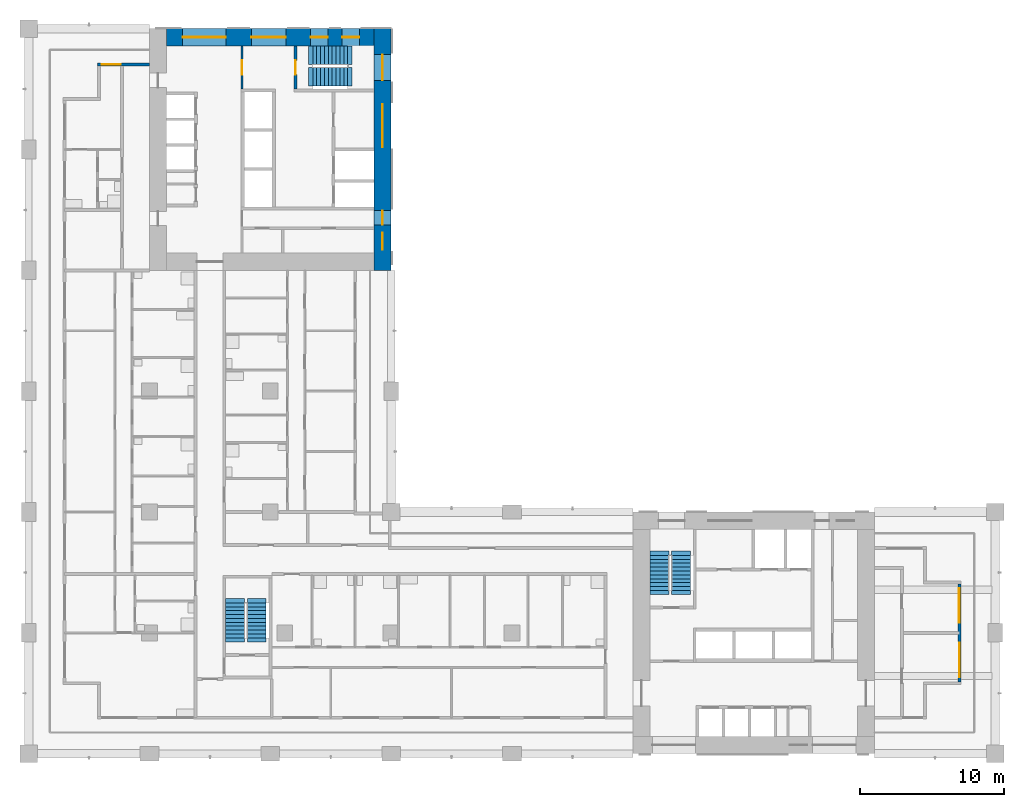
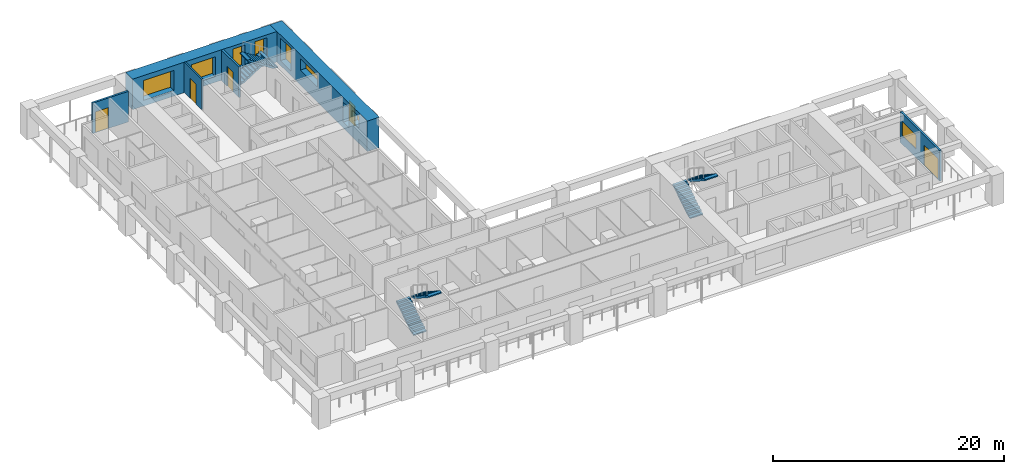
# One storey, part 8 of 16: 9 windows, 6 stair flights, 6 walls, 4 doors, 13 openings, 3 elements without a shape of their own.
"""IFC4 building model written with IfcOpenShell, lengths in metres."""

from ifc_helpers import new_model, si_unit, direction, frame, frame_2d, origin, place, context, subcontext, project, spatial, polyline, rectangle, outline, extrude, material, layer, layer_set, type_object, element, fill, aggregate, save


model = new_model("IFC4")

# Units and contexts
model_context = context("Model", 3, precision=1e-05, world=origin(), true_north=direction((0.0, 1.0)))
body_context = subcontext(model_context, "Body", "Model", "MODEL_VIEW")
ifc_project = project(units=[si_unit("LENGTHUNIT", "METRE"), si_unit("AREAUNIT", "SQUARE_METRE"), si_unit("VOLUMEUNIT", "CUBIC_METRE"), si_unit("PLANEANGLEUNIT", "RADIAN"), si_unit("MASSUNIT", "GRAM", prefix="KILO")], contexts=[model_context])

# Site, building, storey
site_placement = place(None, origin())
site = spatial("IfcSite", under=ifc_project, at=site_placement, CompositionType="ELEMENT")
building_placement = place(site_placement, origin())
building = spatial("IfcBuilding", under=site, at=building_placement, Name="Vermilion Gate Residences", CompositionType="ELEMENT")
storey_placement = place(building_placement, frame((0.0, 0.0, 126.699951171875)))
storey = spatial("IfcBuildingStorey", under=building, at=storey_placement, Name="L32", CompositionType="ELEMENT", Elevation=126.699951171875)

# Wall, opening, door
ifc_material_1 = material(Name="Masonry blockwork", Category="masonry")
ifc_layer_1 = layer(ifc_material_1, 0.14990234375)
ifc_layer_set_1 = layer_set([ifc_layer_1], Name="BLOCKWORK PARTITION 150 EI 120")
wall_type_1 = type_object("IfcWallType", Name="BLOCKWORK PARTITION 150 EI 120", PredefinedType="PARTITIONING", material=ifc_layer_set_1)
wall_1_placement = place(storey_placement, frame((14.824951171875, 57.60009765625, 0.0), z_axis=(0.0, 0.0, 1.0), x_axis=(0.0, -1.0, 0.0)))
wall_1 = element("IfcWall", 1, at=wall_1_placement, inside=storey, type_object=wall_type_1, Name="Core room partition B32-VW-S", PredefinedType="PARTITIONING", context=body_context, shape_type="SweptSolid", body=[
    extrude(rectangle(XDim=3.0, YDim=0.14990234375, at=frame_2d((1.5, 0.0))), origin(), (0.0, 0.0, 1.0), 3.219970703125),
])
opening_1_placement = place(wall_1_placement, frame((1.0, 0.0, 0.0)))
opening_1 = element("IfcOpeningElement", 2, at=opening_1_placement, cuts=wall_1, Name="Opening DK32112", PredefinedType="OPENING", context=body_context, shape_type="SweptSolid", body=[
    extrude(rectangle(XDim=1.0, YDim=2.10009765625, at=frame_2d((0.5, 1.050048828125))), frame((0.0, 0.0849609375, 0.0), z_axis=(0.0, -1.0, 0.0), x_axis=(1.0, 0.0, 0.0)), (0.0, 0.0, 1.0), 0.169921875),
])
ifc_material_2 = material(Name="Steel", Category="steel")
door_type_1 = type_object("IfcDoorType", Name="FIRE DOOR FD60 1000 X 2100", OperationType="SINGLE_SWING_LEFT", PredefinedType="DOOR", material=ifc_material_2)
door_1_placement = place(opening_1_placement, frame((1.0, 0.0, 0.0), z_axis=(0.0, 0.0, 1.0), x_axis=(-1.0, 0.0, 0.0)))
door_1 = element("IfcDoor", 3, at=door_1_placement, inside=storey, type_object=door_type_1, Name="Stair vestibule door B32", OperationType="SINGLE_SWING_RIGHT", OverallHeight=2.10009765625, OverallWidth=1.0, PredefinedType="DOOR", context=body_context, shape_type="SweptSolid", body=[
    extrude(rectangle(XDim=1.0, YDim=2.10009765625, at=frame_2d((0.5, 1.050048828125))), frame((0.0, 0.02490234375, 0.0), z_axis=(0.0, -1.0, 0.0), x_axis=(1.0, 0.0, 0.0)), (0.0, 0.0, 1.0), 0.050048828125),
])
fill(opening_1, door_1)

ifc_material_3 = material(Name="Insulated steel stud wall with terracotta rainscreen", Category="masonry")
ifc_layer_2 = layer(ifc_material_3, 0.199951171875)
ifc_layer_set_2 = layer_set([ifc_layer_2], Name="EXTERNAL WALL 200 TERRACOTTA RAINSCREEN")
wall_type_2 = type_object("IfcWallType", Name="EXTERNAL WALL 200 TERRACOTTA RAINSCREEN", PredefinedType="SOLIDWALL", material=ifc_layer_set_2)
wall_2_placement = place(storey_placement, frame((8.39990234375, 56.300048828125, 0.0), z_axis=(0.0, 0.0, 1.0), x_axis=(-1.0, 0.0, 0.0)))
wall_2 = element("IfcWall", 4, at=wall_2_placement, inside=storey, type_object=wall_type_2, Name="External wall", PredefinedType="SOLIDWALL", context=body_context, shape_type="SweptSolid", body=[
    extrude(rectangle(XDim=3.599853515625, YDim=0.199951171875, at=frame_2d((1.7998046875, 0.0))), origin(), (0.0, 0.0, 1.0), 3.219970703125),
])
opening_2_placement = place(wall_2_placement, frame((2.0, 0.0, 0.0)))
opening_2 = element("IfcOpeningElement", 5, at=opening_2_placement, cuts=wall_2, Name="Opening DE32001", PredefinedType="OPENING", context=body_context, shape_type="SweptSolid", body=[
    extrude(rectangle(XDim=1.300048828125, YDim=2.199951171875, at=frame_2d((0.64990234375, 1.10009765625))), frame((0.0, 0.10986328125, 0.0), z_axis=(0.0, -1.0, 0.0), x_axis=(1.0, 0.0, 0.0)), (0.0, 0.0, 1.0), 0.219970703125),
])
ifc_material_4 = material(Name="Aluminium and clear glass", Category="aluminium")
door_type_2 = type_object("IfcDoorType", Name="SLIDING GLAZED DOOR 1300 X 2200", OperationType="DOUBLE_DOOR_SLIDING", PredefinedType="DOOR", material=ifc_material_4)
door_2_placement = place(opening_2_placement, origin())
door_2 = element("IfcDoor", 6, at=door_2_placement, inside=storey, type_object=door_type_2, Name="Loggia sliding door", OperationType="DOUBLE_DOOR_SLIDING", OverallHeight=2.199951171875, OverallWidth=1.300048828125, PredefinedType="DOOR", context=body_context, shape_type="SweptSolid", body=[
    extrude(rectangle(XDim=1.300048828125, YDim=2.199951171875, at=frame_2d((0.64990234375, 1.10009765625))), frame((0.0, 0.02490234375, 0.0), z_axis=(0.0, -1.0, 0.0), x_axis=(1.0, 0.0, 0.0)), (0.0, 0.0, 1.0), 0.050048828125),
])
fill(opening_2, door_2)

# Wall, openings, door, window
wall_3_placement = place(storey_placement, frame((64.699951171875, 13.39990234375, 0.0), z_axis=(0.0, 0.0, 1.0), x_axis=(0.0, 1.0, 0.0)))
wall_3 = element("IfcWall", 7, at=wall_3_placement, inside=storey, type_object=wall_type_2, Name="External wall", PredefinedType="SOLIDWALL", context=body_context, shape_type="SweptSolid", body=[
    extrude(rectangle(XDim=6.800048828125, YDim=0.199951171875, at=frame_2d((3.39990234375, 0.0))), origin(), (0.0, 0.0, 1.0), 3.219970703125),
])
opening_3_placement = place(wall_3_placement, frame((4.10009765625, 0.0, 0.89990234375)))
opening_3 = element("IfcOpeningElement", 8, at=opening_3_placement, cuts=wall_3, Name="Opening WE32022", PredefinedType="OPENING", context=body_context, shape_type="SweptSolid", body=[
    extrude(rectangle(XDim=2.39990234375, YDim=1.5, at=frame_2d((1.199951171875, 0.75))), frame((0.0, 0.10986328125, 0.0), z_axis=(0.0, -1.0, 0.0), x_axis=(1.0, 0.0, 0.0)), (0.0, 0.0, 1.0), 0.219970703125),
])
opening_4_placement = place(wall_3_placement, frame((0.300048828125, 0.0, 0.0)))
opening_4 = element("IfcOpeningElement", 9, at=opening_4_placement, cuts=wall_3, Name="Opening DE32028", PredefinedType="OPENING", context=body_context, shape_type="SweptSolid", body=[
    extrude(rectangle(XDim=2.39990234375, YDim=2.199951171875, at=frame_2d((1.199951171875, 1.10009765625))), frame((0.0, 0.10986328125, 0.0), z_axis=(0.0, -1.0, 0.0), x_axis=(1.0, 0.0, 0.0)), (0.0, 0.0, 1.0), 0.219970703125),
])
ifc_material_5 = material(Name="Aluminium and clear glass", Category="aluminium")
door_type_3 = type_object("IfcDoorType", Name="SLIDING GLAZED DOOR 2400 X 2200", OperationType="DOUBLE_DOOR_SLIDING", PredefinedType="DOOR", material=ifc_material_5)
door_3_placement = place(opening_4_placement, origin())
door_3 = element("IfcDoor", 10, at=door_3_placement, inside=storey, type_object=door_type_3, Name="Loggia sliding door", OperationType="DOUBLE_DOOR_SLIDING", OverallHeight=2.199951171875, OverallWidth=2.39990234375, PredefinedType="DOOR", context=body_context, shape_type="SweptSolid", body=[
    extrude(rectangle(XDim=2.39990234375, YDim=2.199951171875, at=frame_2d((1.199951171875, 1.10009765625))), frame((0.0, 0.02490234375, 0.0), z_axis=(0.0, -1.0, 0.0), x_axis=(1.0, 0.0, 0.0)), (0.0, 0.0, 1.0), 0.050048828125),
])
fill(opening_4, door_3)
ifc_material_6 = material(Name="Aluminium and clear glass", Category="aluminium")
window_type_1 = type_object("IfcWindowType", Name="WINDOW 2400 X 1500", PartitioningType="SINGLE_PANEL", PredefinedType="WINDOW", material=ifc_material_6)
window_1_placement = place(opening_3_placement, origin())
window_1 = element("IfcWindow", 11, at=window_1_placement, inside=storey, type_object=window_type_1, Name="Window", OverallHeight=1.5, OverallWidth=2.39990234375, PartitioningType="SINGLE_PANEL", PredefinedType="WINDOW", context=body_context, shape_type="SweptSolid", body=[
    extrude(rectangle(XDim=2.39990234375, YDim=1.5, at=frame_2d((1.199951171875, 0.75))), frame((0.0, 0.030029296875, 0.0), z_axis=(0.0, -1.0, 0.0), x_axis=(1.0, 0.0, 0.0)), (0.0, 0.0, 1.0), 0.06005859375),
])
fill(opening_3, window_1)

# Wall, opening, door
ifc_material_7 = material(Name="Concrete C60", Category="concrete")
ifc_layer_3 = layer(ifc_material_7, 0.199951171875)
ifc_layer_set_3 = layer_set([ifc_layer_3], Name="RC CORE INTERNAL WALL 200 C60")
wall_type_3 = type_object("IfcWallType", Name="RC CORE INTERNAL WALL 200 C60", PredefinedType="SHEAR", material=ifc_layer_set_3)
wall_4_placement = place(storey_placement, frame((18.550048828125, 57.60009765625, 0.0), z_axis=(0.0, 0.0, 1.0), x_axis=(0.0, -1.0, 0.0)))
wall_4 = element("IfcWall", 12, at=wall_4_placement, inside=storey, type_object=wall_type_3, Name="Core internal wall B32-STW-S", PredefinedType="SHEAR", context=body_context, shape_type="SweptSolid", body=[
    extrude(rectangle(XDim=3.0, YDim=0.199951171875, at=frame_2d((1.5, 0.0))), origin(), (0.0, 0.0, 1.0), 3.219970703125),
])
opening_5_placement = place(wall_4_placement, frame((1.0, 0.0, 0.0)))
opening_5 = element("IfcOpeningElement", 13, at=opening_5_placement, cuts=wall_4, Name="Opening DK32113", PredefinedType="OPENING", context=body_context, shape_type="SweptSolid", body=[
    extrude(rectangle(XDim=1.0, YDim=2.10009765625, at=frame_2d((0.5, 1.050048828125))), frame((0.0, 0.10986328125, 0.0), z_axis=(0.0, -1.0, 0.0), x_axis=(1.0, 0.0, 0.0)), (0.0, 0.0, 1.0), 0.219970703125),
])
door_4_placement = place(opening_5_placement, origin())
door_4 = element("IfcDoor", 14, at=door_4_placement, inside=storey, type_object=door_type_1, Name="Stair door B32", OperationType="SINGLE_SWING_LEFT", OverallHeight=2.10009765625, OverallWidth=1.0, PredefinedType="DOOR", context=body_context, shape_type="SweptSolid", body=[
    extrude(rectangle(XDim=1.0, YDim=2.10009765625, at=frame_2d((0.5, 1.050048828125))), frame((0.0, 0.02490234375, 0.0), z_axis=(0.0, -1.0, 0.0), x_axis=(1.0, 0.0, 0.0)), (0.0, 0.0, 1.0), 0.050048828125),
])
fill(opening_5, door_4)

# Wall, openings, windows
ifc_material_8 = material(Name="Concrete C70 red-oxide pigmented", Category="concrete")
ifc_layer_4 = layer(ifc_material_8, 1.199951171875)
ifc_layer_set_4 = layer_set([ifc_layer_4], Name="RC CORE WALL 1200 C70 RED OXIDE")
wall_type_4 = type_object("IfcWallType", Name="RC CORE WALL 1200 C70 RED OXIDE", PredefinedType="SHEAR", material=ifc_layer_set_4)
wall_5_placement = place(storey_placement, frame((24.60009765625, 58.800048828125, 0.0), z_axis=(0.0, 0.0, 1.0), x_axis=(0.0, -1.0, 0.0)))
wall_5 = element("IfcWall", 15, at=wall_5_placement, inside=storey, type_object=wall_type_4, Name="Core wall B32-OUT-B1", PredefinedType="SHEAR", context=body_context, shape_type="SweptSolid", body=[
    extrude(rectangle(XDim=16.800048828125, YDim=1.199951171875, at=frame_2d((8.39990234375, 0.0))), origin(), (0.0, 0.0, 1.0), 3.219970703125),
])
opening_6_placement = place(wall_5_placement, frame((1.800048828125, 0.0, 0.5)))
opening_6 = element("IfcOpeningElement", 16, at=opening_6_placement, cuts=wall_5, Name="Opening WKB3201", PredefinedType="OPENING", context=body_context, shape_type="SweptSolid", body=[
    extrude(rectangle(XDim=1.800048828125, YDim=2.39990234375, at=frame_2d((0.89990234375, 1.199951171875))), frame((0.0, 0.60986328125, 0.0), z_axis=(0.0, -1.0, 0.0), x_axis=(1.0, 0.0, 0.0)), (0.0, 0.0, 1.0), 1.219970703125),
])
opening_7_placement = place(wall_5_placement, frame((5.25, 0.0, 1.60009765625)))
opening_7 = element("IfcOpeningElement", 17, at=opening_7_placement, cuts=wall_5, Name="Opening WKB3202", PredefinedType="OPENING", context=body_context, shape_type="SweptSolid", body=[
    extrude(rectangle(XDim=3.0, YDim=1.199951171875, at=frame_2d((1.5, 0.60009765625))), frame((0.0, 0.60986328125, 0.0), z_axis=(0.0, -1.0, 0.0), x_axis=(1.0, 0.0, 0.0)), (0.0, 0.0, 1.0), 1.219970703125),
])
opening_8_placement = place(wall_5_placement, frame((12.64990234375, 0.0, 0.60009765625)))
opening_8 = element("IfcOpeningElement", 18, at=opening_8_placement, cuts=wall_5, Name="Opening WKB3203", PredefinedType="OPENING", context=body_context, shape_type="SweptSolid", body=[
    extrude(rectangle(XDim=1.0, YDim=2.10009765625, at=frame_2d((0.5, 1.050048828125))), frame((0.0, 0.60986328125, 0.0), z_axis=(0.0, -1.0, 0.0), x_axis=(1.0, 0.0, 0.0)), (0.0, 0.0, 1.0), 1.219970703125),
])
opening_9_placement = place(wall_5_placement, frame((14.175048828125, 0.0, 1.60009765625)))
opening_9 = element("IfcOpeningElement", 19, at=opening_9_placement, cuts=wall_5, Name="Opening WKB3204", PredefinedType="OPENING", context=body_context, shape_type="SweptSolid", body=[
    extrude(rectangle(XDim=1.199951171875, YDim=1.199951171875, at=frame_2d((0.60009765625, 0.60009765625))), frame((0.0, 0.60986328125, 0.0), z_axis=(0.0, -1.0, 0.0), x_axis=(1.0, 0.0, 0.0)), (0.0, 0.0, 1.0), 1.219970703125),
])
ifc_material_9 = material(Name="Aluminium and clear glass", Category="aluminium")
window_type_2 = type_object("IfcWindowType", Name="CORE CORRIDOR WINDOW 1000 X 2100", PartitioningType="SINGLE_PANEL", PredefinedType="WINDOW", material=ifc_material_9)
window_2_placement = place(opening_8_placement, origin())
window_2 = element("IfcWindow", 20, at=window_2_placement, inside=storey, type_object=window_type_2, Name="Core corridor window", OverallHeight=2.10009765625, OverallWidth=1.0, PartitioningType="SINGLE_PANEL", PredefinedType="WINDOW", context=body_context, shape_type="SweptSolid", body=[
    extrude(rectangle(XDim=1.0, YDim=2.10009765625, at=frame_2d((0.5, 1.050048828125))), frame((0.0, 0.030029296875, 0.0), z_axis=(0.0, -1.0, 0.0), x_axis=(1.0, 0.0, 0.0)), (0.0, 0.0, 1.0), 0.06005859375),
])
fill(opening_8, window_2)
ifc_material_10 = material(Name="Aluminium frame with louvre blades", Category="aluminium")
window_type_3 = type_object("IfcWindowType", Name="CORE LOUVRE 1200 X 1200", PartitioningType="SINGLE_PANEL", PredefinedType="WINDOW", material=ifc_material_10)
window_3_placement = place(opening_9_placement, origin())
window_3 = element("IfcWindow", 21, at=window_3_placement, inside=storey, type_object=window_type_3, Name="Core louvre", OverallHeight=1.199951171875, OverallWidth=1.199951171875, PartitioningType="SINGLE_PANEL", PredefinedType="WINDOW", context=body_context, shape_type="SweptSolid", body=[
    extrude(rectangle(XDim=1.199951171875, YDim=1.199951171875, at=frame_2d((0.60009765625, 0.60009765625))), frame((0.0, 0.030029296875, 0.0), z_axis=(0.0, -1.0, 0.0), x_axis=(1.0, 0.0, 0.0)), (0.0, 0.0, 1.0), 0.06005859375),
])
fill(opening_9, window_3)
ifc_material_11 = material(Name="Aluminium frame with louvre blades", Category="aluminium")
window_type_4 = type_object("IfcWindowType", Name="CORE LOUVRE 3000 X 1200", PartitioningType="SINGLE_PANEL", PredefinedType="WINDOW", material=ifc_material_11)
window_4_placement = place(opening_7_placement, origin())
window_4 = element("IfcWindow", 22, at=window_4_placement, inside=storey, type_object=window_type_4, Name="Core louvre", OverallHeight=1.199951171875, OverallWidth=3.0, PartitioningType="SINGLE_PANEL", PredefinedType="WINDOW", context=body_context, shape_type="SweptSolid", body=[
    extrude(rectangle(XDim=3.0, YDim=1.199951171875, at=frame_2d((1.5, 0.60009765625))), frame((0.0, 0.030029296875, 0.0), z_axis=(0.0, -1.0, 0.0), x_axis=(1.0, 0.0, 0.0)), (0.0, 0.0, 1.0), 0.06005859375),
])
fill(opening_7, window_4)
ifc_material_12 = material(Name="Aluminium and clear glass", Category="aluminium")
window_type_5 = type_object("IfcWindowType", Name="CORE STAIR WINDOW 1800 X 2400", PartitioningType="SINGLE_PANEL", PredefinedType="WINDOW", material=ifc_material_12)
window_5_placement = place(opening_6_placement, origin())
window_5 = element("IfcWindow", 23, at=window_5_placement, inside=storey, type_object=window_type_5, Name="Core stair window", OverallHeight=2.39990234375, OverallWidth=1.800048828125, PartitioningType="SINGLE_PANEL", PredefinedType="WINDOW", context=body_context, shape_type="SweptSolid", body=[
    extrude(rectangle(XDim=1.800048828125, YDim=2.39990234375, at=frame_2d((0.89990234375, 1.199951171875))), frame((0.0, 0.030029296875, 0.0), z_axis=(0.0, -1.0, 0.0), x_axis=(1.0, 0.0, 0.0)), (0.0, 0.0, 1.0), 0.06005859375),
])
fill(opening_6, window_5)

wall_6_placement = place(storey_placement, frame((9.60009765625, 58.199951171875, 0.0), z_axis=(0.0, 0.0, 1.0), x_axis=(1.0, 0.0, 0.0)))
wall_6 = element("IfcWall", 24, at=wall_6_placement, inside=storey, type_object=wall_type_4, Name="Core wall B32-OUT-FR", PredefinedType="SHEAR", context=body_context, shape_type="SweptSolid", body=[
    extrude(rectangle(XDim=14.39990234375, YDim=1.199951171875, at=frame_2d((7.199951171875, 0.0))), origin(), (0.0, 0.0, 1.0), 3.219970703125),
])
opening_10_placement = place(wall_6_placement, frame((1.10498046875, 0.0, 0.60009765625)))
opening_10 = element("IfcOpeningElement", 25, at=opening_10_placement, cuts=wall_6, Name="Opening WKB3205", PredefinedType="OPENING", context=body_context, shape_type="SweptSolid", body=[
    extrude(rectangle(XDim=3.0, YDim=2.10009765625, at=frame_2d((1.5, 1.050048828125))), frame((0.0, 0.60986328125, 0.0), z_axis=(0.0, -1.0, 0.0), x_axis=(1.0, 0.0, 0.0)), (0.0, 0.0, 1.0), 1.219970703125),
])
opening_11_placement = place(wall_6_placement, frame((5.875, 0.0, 0.60009765625)))
opening_11 = element("IfcOpeningElement", 26, at=opening_11_placement, cuts=wall_6, Name="Opening WKB3206", PredefinedType="OPENING", context=body_context, shape_type="SweptSolid", body=[
    extrude(rectangle(XDim=2.39990234375, YDim=2.10009765625, at=frame_2d((1.199951171875, 1.050048828125))), frame((0.0, 0.60986328125, 0.0), z_axis=(0.0, -1.0, 0.0), x_axis=(1.0, 0.0, 0.0)), (0.0, 0.0, 1.0), 1.219970703125),
])
opening_12_placement = place(wall_6_placement, frame((9.993408203125, 0.0, 0.5)))
opening_12 = element("IfcOpeningElement", 27, at=opening_12_placement, cuts=wall_6, Name="Opening WKB3207", PredefinedType="OPENING", context=body_context, shape_type="SweptSolid", body=[
    extrude(rectangle(XDim=1.199951171875, YDim=2.39990234375, at=frame_2d((0.60009765625, 1.199951171875))), frame((0.0, 0.60986328125, 0.0), z_axis=(0.0, -1.0, 0.0), x_axis=(1.0, 0.0, 0.0)), (0.0, 0.0, 1.0), 1.219970703125),
])
opening_13_placement = place(wall_6_placement, frame((12.19677734375, 0.0, 0.5)))
opening_13 = element("IfcOpeningElement", 28, at=opening_13_placement, cuts=wall_6, Name="Opening WKB3208", PredefinedType="OPENING", context=body_context, shape_type="SweptSolid", body=[
    extrude(rectangle(XDim=1.199951171875, YDim=2.39990234375, at=frame_2d((0.60009765625, 1.199951171875))), frame((0.0, 0.60986328125, 0.0), z_axis=(0.0, -1.0, 0.0), x_axis=(1.0, 0.0, 0.0)), (0.0, 0.0, 1.0), 1.219970703125),
])
ifc_material_13 = material(Name="Aluminium and clear glass", Category="aluminium")
window_type_6 = type_object("IfcWindowType", Name="CORE LOBBY WINDOW 2400 X 2100", PartitioningType="SINGLE_PANEL", PredefinedType="WINDOW", material=ifc_material_13)
window_6_placement = place(opening_11_placement, origin())
window_6 = element("IfcWindow", 29, at=window_6_placement, inside=storey, type_object=window_type_6, Name="Core lobby window", OverallHeight=2.10009765625, OverallWidth=2.39990234375, PartitioningType="SINGLE_PANEL", PredefinedType="WINDOW", context=body_context, shape_type="SweptSolid", body=[
    extrude(rectangle(XDim=2.39990234375, YDim=2.10009765625, at=frame_2d((1.199951171875, 1.050048828125))), frame((0.0, 0.030029296875, 0.0), z_axis=(0.0, -1.0, 0.0), x_axis=(1.0, 0.0, 0.0)), (0.0, 0.0, 1.0), 0.06005859375),
])
fill(opening_11, window_6)
ifc_material_14 = material(Name="Aluminium and clear glass", Category="aluminium")
window_type_7 = type_object("IfcWindowType", Name="CORE LOBBY WINDOW 3000 X 2100", PartitioningType="SINGLE_PANEL", PredefinedType="WINDOW", material=ifc_material_14)
window_7_placement = place(opening_10_placement, origin())
window_7 = element("IfcWindow", 30, at=window_7_placement, inside=storey, type_object=window_type_7, Name="Core lobby window", OverallHeight=2.10009765625, OverallWidth=3.0, PartitioningType="SINGLE_PANEL", PredefinedType="WINDOW", context=body_context, shape_type="SweptSolid", body=[
    extrude(rectangle(XDim=3.0, YDim=2.10009765625, at=frame_2d((1.5, 1.050048828125))), frame((0.0, 0.030029296875, 0.0), z_axis=(0.0, -1.0, 0.0), x_axis=(1.0, 0.0, 0.0)), (0.0, 0.0, 1.0), 0.06005859375),
])
fill(opening_10, window_7)
ifc_material_15 = material(Name="Aluminium and clear glass", Category="aluminium")
window_type_8 = type_object("IfcWindowType", Name="CORE STAIR WINDOW 1200 X 2400", PartitioningType="SINGLE_PANEL", PredefinedType="WINDOW", material=ifc_material_15)
window_8_placement = place(opening_12_placement, origin())
window_8 = element("IfcWindow", 31, at=window_8_placement, inside=storey, type_object=window_type_8, Name="Core stair window", OverallHeight=2.39990234375, OverallWidth=1.199951171875, PartitioningType="SINGLE_PANEL", PredefinedType="WINDOW", context=body_context, shape_type="SweptSolid", body=[
    extrude(rectangle(XDim=1.199951171875, YDim=2.39990234375, at=frame_2d((0.60009765625, 1.199951171875))), frame((0.0, 0.030029296875, 0.0), z_axis=(0.0, -1.0, 0.0), x_axis=(1.0, 0.0, 0.0)), (0.0, 0.0, 1.0), 0.06005859375),
])
fill(opening_12, window_8)
window_9_placement = place(opening_13_placement, origin())
window_9 = element("IfcWindow", 32, at=window_9_placement, inside=storey, type_object=window_type_8, Name="Core stair window", OverallHeight=2.39990234375, OverallWidth=1.199951171875, PartitioningType="SINGLE_PANEL", PredefinedType="WINDOW", context=body_context, shape_type="SweptSolid", body=[
    extrude(rectangle(XDim=1.199951171875, YDim=2.39990234375, at=frame_2d((0.60009765625, 1.199951171875))), frame((0.0, 0.030029296875, 0.0), z_axis=(0.0, -1.0, 0.0), x_axis=(1.0, 0.0, 0.0)), (0.0, 0.0, 1.0), 0.06005859375),
])
fill(opening_13, window_9)

# Stair, stair flights
ifc_material_16 = material(Name="Concrete C50", Category="concrete")
stair_type = type_object("IfcStairType", Name="SPECIAL ESCAPE STAIR 1300", PredefinedType="HALF_TURN_STAIR", material=ifc_material_16)
stair_1_placement = place(storey_placement, origin())
stair_1 = element("IfcStair", 33, at=stair_1_placement, inside=storey, type_object=stair_type, Name="Special escape stair STA1-32", PredefinedType="HALF_TURN_STAIR")
ifc_material_17 = material(Name="Concrete C50", Category="concrete")
stair_flight_type = type_object("IfcStairFlightType", Name="STAIR FLIGHT 1300 RC C50", PredefinedType="STRAIGHT", material=ifc_material_17)
stair_flight_1_placement = place(storey_placement, frame((43.85009765625, 19.75, 0.0), z_axis=(0.0, 0.0, 1.0), x_axis=(0.0, 1.0, 0.0)))
stair_flight_1 = element("IfcStairFlight", 34, at=stair_flight_1_placement, type_object=stair_flight_type, Name="STA1-32 flight 1", NumberOfRisers=10, NumberOfTreads=9, PredefinedType="STRAIGHT", RiserHeight=0.175, TreadLength=0.27, context=body_context, shape_type="SweptSolid", body=[
    extrude(outline(polyline([(-0.300048828125, -0.14990234375), (-0.300048828125, -0.030029296875), (0.0, 0.0), (0.0, 0.175048828125), (0.27001953125, 0.175048828125), (0.27001953125, 0.35009765625), (0.5400390625, 0.35009765625), (0.5400390625, 0.52490234375), (0.81005859375, 0.52490234375), (0.81005859375, 0.699951171875), (1.080078125, 0.699951171875), (1.080078125, 0.875), (1.35009765625, 0.875), (1.35009765625, 1.050048828125), (1.6201171875, 1.050048828125), (1.6201171875, 1.22509765625), (1.889892578125, 1.22509765625), (1.889892578125, 1.39990234375), (2.159912109375, 1.39990234375), (2.159912109375, 1.574951171875), (2.429931640625, 1.574951171875), (2.429931640625, 1.75), (2.72998046875, 1.719970703125), (2.72998046875, 1.60009765625), (2.429931640625, 1.396484375), (0.275634765625, 0.0), (-0.300048828125, -0.14990234375)])), frame((0.0, 0.64990234375, 0.0), z_axis=(0.0, -1.0, 0.0), x_axis=(1.0, 0.0, 0.0)), (0.0, 0.0, 1.0), 1.300048828125),
])
stair_flight_2_placement = place(storey_placement, frame((45.35009765625, 22.179931640625, 1.75), z_axis=(0.0, 0.0, 1.0), x_axis=(0.0, -1.0, 0.0)))
stair_flight_2 = element("IfcStairFlight", 35, at=stair_flight_2_placement, type_object=stair_flight_type, Name="STA1-32 flight 2", NumberOfRisers=10, NumberOfTreads=9, PredefinedType="STRAIGHT", RiserHeight=0.175, TreadLength=0.27, context=body_context, shape_type="SweptSolid", body=[
    extrude(outline(polyline([(-0.300048828125, -0.14990234375), (-0.300048828125, -0.030029296875), (0.0, 0.0), (0.0, 0.175048828125), (0.27001953125, 0.175048828125), (0.27001953125, 0.35009765625), (0.5400390625, 0.35009765625), (0.5400390625, 0.52490234375), (0.81005859375, 0.52490234375), (0.81005859375, 0.699951171875), (1.080078125, 0.699951171875), (1.080078125, 0.875), (1.35009765625, 0.875), (1.35009765625, 1.050048828125), (1.6201171875, 1.050048828125), (1.6201171875, 1.22509765625), (1.889892578125, 1.22509765625), (1.889892578125, 1.39990234375), (2.159912109375, 1.39990234375), (2.159912109375, 1.574951171875), (2.429931640625, 1.574951171875), (2.429931640625, 1.75), (2.72998046875, 1.719970703125), (2.72998046875, 1.60009765625), (2.429931640625, 1.396484375), (0.275634765625, 0.0), (-0.300048828125, -0.14990234375)])), frame((0.0, 0.64990234375, 0.0), z_axis=(0.0, -1.0, 0.0), x_axis=(1.0, 0.0, 0.0)), (0.0, 0.0, 1.0), 1.300048828125),
])
aggregate(stair_1, [stair_flight_1, stair_flight_2])

stair_2_placement = place(storey_placement, origin())
stair_2 = element("IfcStair", 36, at=stair_2_placement, inside=storey, type_object=stair_type, Name="Special escape stair STB1-32", PredefinedType="HALF_TURN_STAIR")
stair_flight_3_placement = place(storey_placement, frame((19.75, 56.949951171875, 0.0), z_axis=(0.0, 0.0, 1.0), x_axis=(1.0, 0.0, 0.0)))
stair_flight_3 = element("IfcStairFlight", 37, at=stair_flight_3_placement, type_object=stair_flight_type, Name="STB1-32 flight 1", NumberOfRisers=10, NumberOfTreads=9, PredefinedType="STRAIGHT", RiserHeight=0.175, TreadLength=0.27, context=body_context, shape_type="SweptSolid", body=[
    extrude(outline(polyline([(-0.300048828125, -0.14990234375), (-0.300048828125, -0.030029296875), (0.0, 0.0), (0.0, 0.175048828125), (0.27001953125, 0.175048828125), (0.27001953125, 0.35009765625), (0.5400390625, 0.35009765625), (0.5400390625, 0.52490234375), (0.81005859375, 0.52490234375), (0.81005859375, 0.699951171875), (1.080078125, 0.699951171875), (1.080078125, 0.875), (1.35009765625, 0.875), (1.35009765625, 1.050048828125), (1.6201171875, 1.050048828125), (1.6201171875, 1.22509765625), (1.889892578125, 1.22509765625), (1.889892578125, 1.39990234375), (2.159912109375, 1.39990234375), (2.159912109375, 1.574951171875), (2.429931640625, 1.574951171875), (2.429931640625, 1.75), (2.72998046875, 1.719970703125), (2.72998046875, 1.60009765625), (2.429931640625, 1.396484375), (0.275634765625, 0.0), (-0.300048828125, -0.14990234375)])), frame((0.0, 0.64990234375, 0.0), z_axis=(0.0, -1.0, 0.0), x_axis=(1.0, 0.0, 0.0)), (0.0, 0.0, 1.0), 1.300048828125),
])
stair_flight_4_placement = place(storey_placement, frame((22.179931640625, 55.449951171875, 1.75), z_axis=(0.0, 0.0, 1.0), x_axis=(-1.0, 0.0, 0.0)))
stair_flight_4 = element("IfcStairFlight", 38, at=stair_flight_4_placement, type_object=stair_flight_type, Name="STB1-32 flight 2", NumberOfRisers=10, NumberOfTreads=9, PredefinedType="STRAIGHT", RiserHeight=0.175, TreadLength=0.27, context=body_context, shape_type="SweptSolid", body=[
    extrude(outline(polyline([(-0.300048828125, -0.14990234375), (-0.300048828125, -0.030029296875), (0.0, 0.0), (0.0, 0.175048828125), (0.27001953125, 0.175048828125), (0.27001953125, 0.35009765625), (0.5400390625, 0.35009765625), (0.5400390625, 0.52490234375), (0.81005859375, 0.52490234375), (0.81005859375, 0.699951171875), (1.080078125, 0.699951171875), (1.080078125, 0.875), (1.35009765625, 0.875), (1.35009765625, 1.050048828125), (1.6201171875, 1.050048828125), (1.6201171875, 1.22509765625), (1.889892578125, 1.22509765625), (1.889892578125, 1.39990234375), (2.159912109375, 1.39990234375), (2.159912109375, 1.574951171875), (2.429931640625, 1.574951171875), (2.429931640625, 1.75), (2.72998046875, 1.719970703125), (2.72998046875, 1.60009765625), (2.429931640625, 1.396484375), (0.275634765625, 0.0), (-0.300048828125, -0.14990234375)])), frame((0.0, 0.64990234375, 0.0), z_axis=(0.0, -1.0, 0.0), x_axis=(1.0, 0.0, 0.0)), (0.0, 0.0, 1.0), 1.300048828125),
])
aggregate(stair_2, [stair_flight_3, stair_flight_4])

stair_3_placement = place(storey_placement, origin())
stair_3 = element("IfcStair", 39, at=stair_3_placement, inside=storey, type_object=stair_type, Name="Special escape stair STC1-32", PredefinedType="HALF_TURN_STAIR")
stair_flight_5_placement = place(storey_placement, frame((14.35009765625, 16.449951171875, 0.0), z_axis=(0.0, 0.0, 1.0), x_axis=(0.0, 1.0, 0.0)))
stair_flight_5 = element("IfcStairFlight", 40, at=stair_flight_5_placement, type_object=stair_flight_type, Name="STC1-32 flight 1", NumberOfRisers=10, NumberOfTreads=9, PredefinedType="STRAIGHT", RiserHeight=0.175, TreadLength=0.27, context=body_context, shape_type="SweptSolid", body=[
    extrude(outline(polyline([(-0.300048828125, -0.14990234375), (-0.300048828125, -0.030029296875), (0.0, 0.0), (0.0, 0.175048828125), (0.27001953125, 0.175048828125), (0.27001953125, 0.35009765625), (0.5400390625, 0.35009765625), (0.5400390625, 0.52490234375), (0.81005859375, 0.52490234375), (0.81005859375, 0.699951171875), (1.080078125, 0.699951171875), (1.080078125, 0.875), (1.35009765625, 0.875), (1.35009765625, 1.050048828125), (1.6201171875, 1.050048828125), (1.6201171875, 1.22509765625), (1.889892578125, 1.22509765625), (1.889892578125, 1.39990234375), (2.159912109375, 1.39990234375), (2.159912109375, 1.574951171875), (2.429931640625, 1.574951171875), (2.429931640625, 1.75), (2.72998046875, 1.719970703125), (2.72998046875, 1.60009765625), (2.429931640625, 1.396484375), (0.275634765625, 0.0), (-0.300048828125, -0.14990234375)])), frame((0.0, 0.64990234375, 0.0), z_axis=(0.0, -1.0, 0.0), x_axis=(1.0, 0.0, 0.0)), (0.0, 0.0, 1.0), 1.300048828125),
])
stair_flight_6_placement = place(storey_placement, frame((15.85009765625, 18.8798828125, 1.75), z_axis=(0.0, 0.0, 1.0), x_axis=(0.0, -1.0, 0.0)))
stair_flight_6 = element("IfcStairFlight", 41, at=stair_flight_6_placement, type_object=stair_flight_type, Name="STC1-32 flight 2", NumberOfRisers=10, NumberOfTreads=9, PredefinedType="STRAIGHT", RiserHeight=0.175, TreadLength=0.27, context=body_context, shape_type="SweptSolid", body=[
    extrude(outline(polyline([(-0.300048828125, -0.14990234375), (-0.300048828125, -0.030029296875), (0.0, 0.0), (0.0, 0.175048828125), (0.27001953125, 0.175048828125), (0.27001953125, 0.35009765625), (0.5400390625, 0.35009765625), (0.5400390625, 0.52490234375), (0.81005859375, 0.52490234375), (0.81005859375, 0.699951171875), (1.080078125, 0.699951171875), (1.080078125, 0.875), (1.35009765625, 0.875), (1.35009765625, 1.050048828125), (1.6201171875, 1.050048828125), (1.6201171875, 1.22509765625), (1.889892578125, 1.22509765625), (1.889892578125, 1.39990234375), (2.159912109375, 1.39990234375), (2.159912109375, 1.574951171875), (2.429931640625, 1.574951171875), (2.429931640625, 1.75), (2.72998046875, 1.719970703125), (2.72998046875, 1.60009765625), (2.429931640625, 1.396484375), (0.275634765625, 0.0), (-0.300048828125, -0.14990234375)])), frame((0.0, 0.64990234375, 0.0), z_axis=(0.0, -1.0, 0.0), x_axis=(1.0, 0.0, 0.0)), (0.0, 0.0, 1.0), 1.300048828125),
])
aggregate(stair_3, [stair_flight_5, stair_flight_6])

save(model, "model.ifc")
